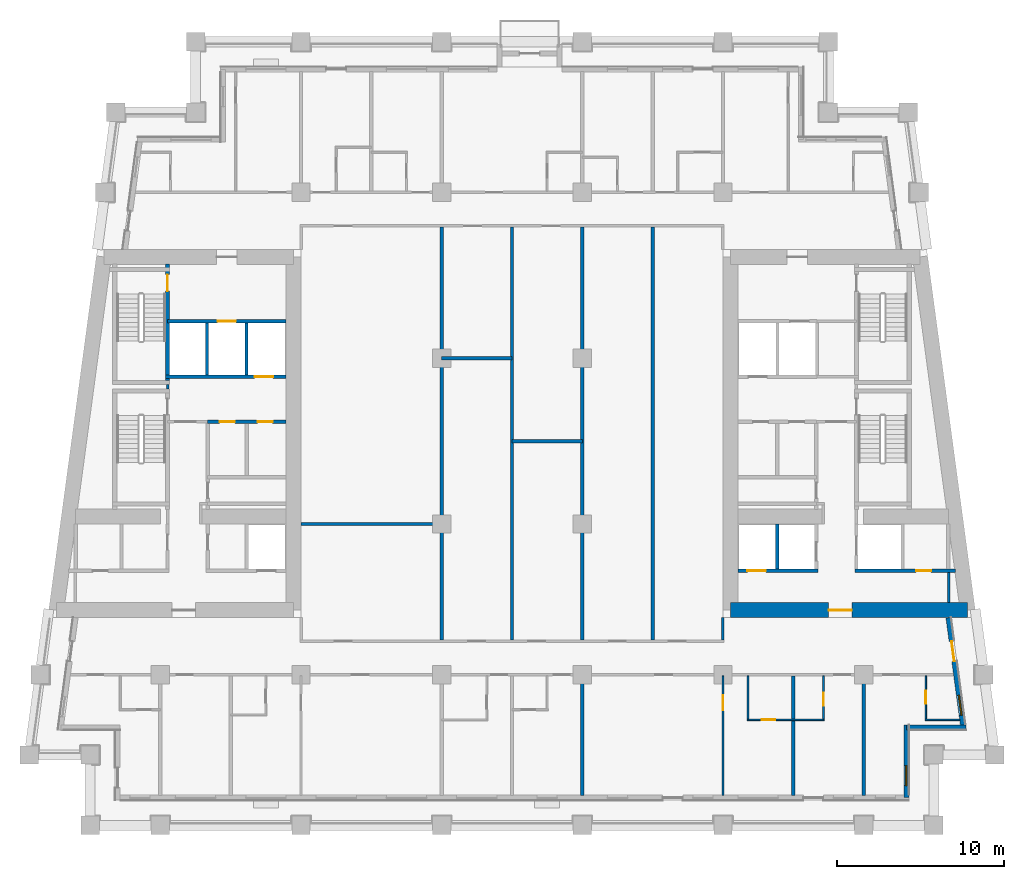
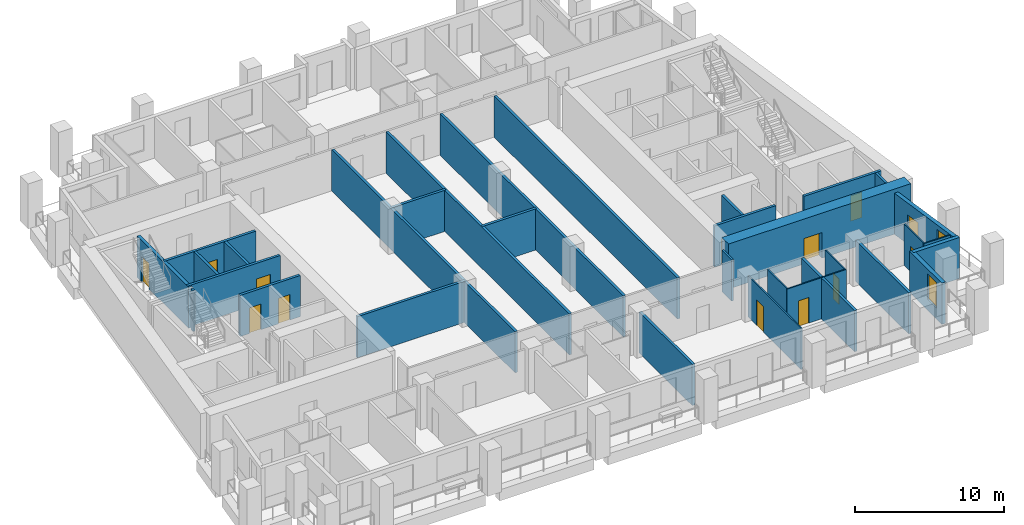
# One storey, part 4 of 13: 32 walls, 13 doors, 2 windows, 15 openings.
"""IFC4 building model written with IfcOpenShell, lengths in metres."""

from ifc_helpers import new_model, si_unit, direction, frame, frame_2d, origin, place, context, subcontext, project, spatial, rectangle, extrude, material, layer, layer_set, type_object, element, fill, save


model = new_model("IFC4")

# Units and contexts
model_context = context("Model", 3, precision=1e-05, world=origin(), true_north=direction((0.0, 1.0)))
body_context = subcontext(model_context, "Body", "Model", "MODEL_VIEW")
ifc_project = project(units=[si_unit("LENGTHUNIT", "METRE"), si_unit("AREAUNIT", "SQUARE_METRE"), si_unit("VOLUMEUNIT", "CUBIC_METRE"), si_unit("PLANEANGLEUNIT", "RADIAN"), si_unit("MASSUNIT", "GRAM", prefix="KILO")], contexts=[model_context])

# Site, building, storey
site_placement = place(None, origin())
site = spatial("IfcSite", under=ifc_project, at=site_placement, CompositionType="ELEMENT")
building_placement = place(site_placement, origin())
building = spatial("IfcBuilding", under=site, at=building_placement, Name="Candeia Pilgrim Tower and Theatre", CompositionType="ELEMENT")
storey_placement = place(building_placement, frame((0.0, 0.0, 158.89990234375)))
storey = spatial("IfcBuildingStorey", under=building, at=storey_placement, Name="L37", CompositionType="ELEMENT", Elevation=158.89990234375)

# Wall, opening, door
ifc_material_1 = material(Name="Concrete C60/75", Category="concrete")
ifc_layer_1 = layer(ifc_material_1, 0.89990234375)
ifc_layer_set_1 = layer_set([ifc_layer_1], Name="Core wall 900 C60/75")
wall_type_1 = type_object("IfcWallType", Name="Core wall 900 C60/75", PredefinedType="SHEAR", material=ifc_layer_set_1)
wall_1_placement = place(storey_placement, frame((140.6162109375, 110.85009765625, 0.0), z_axis=(0.0, 0.0, 1.0), x_axis=(-1.0, 0.0, 0.0)))
wall_1 = element("IfcWall", 1, at=wall_1_placement, inside=storey, type_object=wall_type_1, Name="Core wall E3", PredefinedType="SHEAR", context=body_context, shape_type="SweptSolid", body=[
    extrude(rectangle(XDim=14.166259765625, YDim=0.89990234375, at=frame_2d((7.0830078125, 0.0))), origin(), (0.0, 0.0, 1.0), 3.7001953125),
])
opening_1_placement = place(wall_1_placement, frame((6.911376953125, 0.0, 0.0)))
opening_1 = element("IfcOpeningElement", 2, at=opening_1_placement, cuts=wall_1, Name="Opening L37-D060", PredefinedType="OPENING", context=body_context, shape_type="SweptSolid", body=[
    extrude(rectangle(XDim=1.39990234375, YDim=2.10009765625, at=frame_2d((0.699951171875, 1.050048828125))), frame((0.0, 0.4599609375, 0.0), z_axis=(0.0, -1.0, 0.0), x_axis=(1.0, 0.0, 0.0)), (0.0, 0.0, 1.0), 0.919921875),
])
ifc_material_2 = material(Name="Steel fire door set", Category="steel")
door_type_1 = type_object("IfcDoorType", Name="D-1400-FD60", OperationType="NOTDEFINED", PredefinedType="DOOR", material=ifc_material_2)
door_1_placement = place(opening_1_placement, origin())
door_1 = element("IfcDoor", 3, at=door_1_placement, inside=storey, type_object=door_type_1, Name="Door L37-D060", OperationType="SINGLE_SWING_LEFT", OverallHeight=2.10009765625, OverallWidth=1.39990234375, PredefinedType="DOOR", context=body_context, shape_type="SweptSolid", body=[
    extrude(rectangle(XDim=1.39990234375, YDim=2.10009765625, at=frame_2d((0.699951171875, 1.050048828125))), frame((0.0, 0.02490234375, 0.0), z_axis=(0.0, -1.0, 0.0), x_axis=(1.0, 0.0, 0.0)), (0.0, 0.0, 1.0), 0.050048828125),
])
fill(opening_1, door_1)

# Wall, opening, window
ifc_material_3 = material(Name="Ceramic block masonry", Category="masonry")
ifc_layer_2 = layer(ifc_material_3, 0.300048828125)
ifc_layer_set_2 = layer_set([ifc_layer_2], Name="EW1 glazing-line wall 300")
wall_type_2 = type_object("IfcWallType", Name="EW1 glazing-line wall 300", PredefinedType="SOLIDWALL", material=ifc_layer_set_2)
wall_2_placement = place(storey_placement, frame((136.949951171875, 99.64990234375, 0.0), z_axis=(0.0, 0.0, 1.0), x_axis=(0.0, 1.0, 0.0)))
wall_2 = element("IfcWall", 4, at=wall_2_placement, inside=storey, type_object=wall_type_2, Name="External wall L37-1.0", PredefinedType="SOLIDWALL", context=body_context, shape_type="SweptSolid", body=[
    extrude(rectangle(XDim=4.35009765625, YDim=0.300048828125, at=frame_2d((2.175048828125, 0.0))), origin(), (0.0, 0.0, 1.0), 3.380126953125),
])
opening_2_placement = place(wall_2_placement, frame((0.72509765625, 0.0, 0.89990234375)))
opening_2 = element("IfcOpeningElement", 5, at=opening_2_placement, cuts=wall_2, Name="Opening W-B", PredefinedType="OPENING", context=body_context, shape_type="SweptSolid", body=[
    extrude(rectangle(XDim=1.199951171875, YDim=2.10009765625, at=frame_2d((0.60009765625, 1.050048828125))), frame((0.0, 0.16015625, 0.0), z_axis=(0.0, -1.0, 0.0), x_axis=(1.0, 0.0, 0.0)), (0.0, 0.0, 1.0), 0.320068359375),
])
ifc_material_4 = material(Name="Aluminium framed double glazing", Category="aluminium")
window_type = type_object("IfcWindowType", Name="W-B window 1200x2100", PartitioningType="SINGLE_PANEL", PredefinedType="WINDOW", material=ifc_material_4)
window_1_placement = place(opening_2_placement, origin())
window_1 = element("IfcWindow", 6, at=window_1_placement, inside=storey, type_object=window_type, Name="Window W-B L37", OverallHeight=2.10009765625, OverallWidth=1.199951171875, PartitioningType="SINGLE_PANEL", PredefinedType="WINDOW", context=body_context, shape_type="SweptSolid", body=[
    extrude(rectangle(XDim=1.199951171875, YDim=2.10009765625, at=frame_2d((0.60009765625, 1.050048828125))), frame((0.0, 0.030029296875, 0.0), z_axis=(0.0, -1.0, 0.0), x_axis=(1.0, 0.0, 0.0)), (0.0, 0.0, 1.0), 0.06005859375),
])
fill(opening_2, window_1)

# Wall
wall_3_placement = place(storey_placement, frame((136.949951171875, 103.85009765625, 0.0), z_axis=(0.0, 0.0, 1.0), x_axis=(1.0, 0.0, 0.0)))
element("IfcWall", 7, at=wall_3_placement, inside=storey, type_object=wall_type_2, Name="External wall L37-2.0", PredefinedType="SOLIDWALL", context=body_context, shape_type="SweptSolid", body=[
    extrude(rectangle(XDim=3.569091796875, YDim=0.300048828125, at=frame_2d((1.78466796875, 0.0))), origin(), (0.0, 0.0, 1.0), 3.380126953125),
])

# Wall, openings, door, window
wall_4_placement = place(storey_placement, frame((140.34765625, 103.85009765625, 0.0), z_axis=(0.0, 0.0, 1.0), x_axis=(-0.133431549479, 0.991058031401, 0.0)))
wall_4 = element("IfcWall", 8, at=wall_4_placement, inside=storey, type_object=wall_type_2, Name="External wall L37-3.0", PredefinedType="SOLIDWALL", context=body_context, shape_type="SweptSolid", body=[
    extrude(rectangle(XDim=6.60888671875, YDim=0.300048828125, at=frame_2d((3.304443359375, 0.0))), origin(), (0.0, 0.0, 1.0), 3.380126953125),
])
opening_3_placement = place(wall_4_placement, frame((0.736572265625, 0.0, 0.89990234375)))
opening_3 = element("IfcOpeningElement", 9, at=opening_3_placement, cuts=wall_4, Name="Opening W-B", PredefinedType="OPENING", context=body_context, shape_type="SweptSolid", body=[
    extrude(rectangle(XDim=1.199951171875, YDim=2.10009765625, at=frame_2d((0.60009765625, 1.050048828125))), frame((0.0, 0.16015625, 0.0), z_axis=(0.0, -1.0, 0.0), x_axis=(1.0, 0.0, 0.0)), (0.0, 0.0, 1.0), 0.320068359375),
])
opening_4_placement = place(wall_4_placement, frame((3.990966796875, 0.0, 0.0)))
opening_4 = element("IfcOpeningElement", 10, at=opening_4_placement, cuts=wall_4, Name="Opening L37-ED356", PredefinedType="OPENING", context=body_context, shape_type="SweptSolid", body=[
    extrude(rectangle(XDim=1.199951171875, YDim=2.39990234375, at=frame_2d((0.60009765625, 1.199951171875))), frame((0.0, 0.16015625, 0.0), z_axis=(0.0, -1.0, 0.0), x_axis=(1.0, 0.0, 0.0)), (0.0, 0.0, 1.0), 0.320068359375),
])
ifc_material_5 = material(Name="Aluminium framed glazed door", Category="aluminium")
door_type_2 = type_object("IfcDoorType", Name="Loggia door 1200x2400", OperationType="DOUBLE_DOOR_SINGLE_SWING", PredefinedType="DOOR", material=ifc_material_5)
door_2_placement = place(opening_4_placement, origin())
door_2 = element("IfcDoor", 11, at=door_2_placement, inside=storey, type_object=door_type_2, Name="Loggia door L37-ED356", OperationType="DOUBLE_DOOR_SINGLE_SWING", OverallHeight=2.39990234375, OverallWidth=1.199951171875, PredefinedType="DOOR", context=body_context, shape_type="SweptSolid", body=[
    extrude(rectangle(XDim=1.199951171875, YDim=2.39990234375, at=frame_2d((0.60009765625, 1.199951171875))), frame((0.0, 0.02490234375, 0.0), z_axis=(0.0, -1.0, 0.0), x_axis=(1.0, 0.0, 0.0)), (0.0, 0.0, 1.0), 0.050048828125),
])
fill(opening_4, door_2)
window_2_placement = place(opening_3_placement, origin())
window_2 = element("IfcWindow", 12, at=window_2_placement, inside=storey, type_object=window_type, Name="Window W-B L37", OverallHeight=2.10009765625, OverallWidth=1.199951171875, PartitioningType="SINGLE_PANEL", PredefinedType="WINDOW", context=body_context, shape_type="SweptSolid", body=[
    extrude(rectangle(XDim=1.199951171875, YDim=2.10009765625, at=frame_2d((0.60009765625, 1.050048828125))), frame((0.0, 0.030029296875, 0.0), z_axis=(0.0, -1.0, 0.0), x_axis=(1.0, 0.0, 0.0)), (0.0, 0.0, 1.0), 0.06005859375),
])
fill(opening_3, window_2)

# Wall, opening, door
ifc_material_6 = material(Name="Gypsum board partition on steel studs", Category="steel")
ifc_layer_3 = layer(ifc_material_6, 0.10009765625)
ifc_layer_set_3 = layer_set([ifc_layer_3], Name="PW-100 room partition")
wall_type_3 = type_object("IfcWallType", Name="PW-100 room partition", PredefinedType="PARTITIONING", material=ifc_layer_set_3)
wall_5_placement = place(storey_placement, frame((127.449951171875, 104.300048828125, 0.0), z_axis=(0.0, 0.0, 1.0), x_axis=(1.0, 0.0, 0.0)))
wall_5 = element("IfcWall", 13, at=wall_5_placement, inside=storey, type_object=wall_type_3, Name="Room partition L37-002", PredefinedType="PARTITIONING", context=body_context, shape_type="SweptSolid", body=[
    extrude(rectangle(XDim=4.60009765625, YDim=0.10009765625, at=frame_2d((2.300048828125, 0.0))), origin(), (0.0, 0.0, 1.0), 3.380126953125),
])
opening_5_placement = place(wall_5_placement, frame((0.8798828125, 0.0, 0.0)))
opening_5 = element("IfcOpeningElement", 14, at=opening_5_placement, cuts=wall_5, Name="Opening L37-D029", PredefinedType="OPENING", context=body_context, shape_type="SweptSolid", body=[
    extrude(rectangle(XDim=0.800048828125, YDim=2.10009765625, at=frame_2d((0.39990234375, 1.050048828125))), frame((0.0, 0.06005859375, 0.0), z_axis=(0.0, -1.0, 0.0), x_axis=(1.0, 0.0, 0.0)), (0.0, 0.0, 1.0), 0.1201171875),
])
ifc_material_7 = material(Name="Timber door leaf", Category="wood")
door_type_3 = type_object("IfcDoorType", Name="D-800", OperationType="NOTDEFINED", PredefinedType="DOOR", material=ifc_material_7)
door_3_placement = place(opening_5_placement, origin())
door_3 = element("IfcDoor", 15, at=door_3_placement, inside=storey, type_object=door_type_3, Name="Door L37-D029", OperationType="SINGLE_SWING_RIGHT", OverallHeight=2.10009765625, OverallWidth=0.800048828125, PredefinedType="DOOR", context=body_context, shape_type="SweptSolid", body=[
    extrude(rectangle(XDim=0.800048828125, YDim=2.10009765625, at=frame_2d((0.39990234375, 1.050048828125))), frame((0.0, 0.02490234375, 0.0), z_axis=(0.0, -1.0, 0.0), x_axis=(1.0, 0.0, 0.0)), (0.0, 0.0, 1.0), 0.050048828125),
])
fill(opening_5, door_3)

# Wall
wall_6_placement = place(storey_placement, frame((138.070068359375, 104.300048828125, 0.0), z_axis=(0.0, 0.0, 1.0), x_axis=(1.0, 0.0, 0.0)))
element("IfcWall", 16, at=wall_6_placement, inside=storey, type_object=wall_type_3, Name="Room partition L37-003", PredefinedType="PARTITIONING", context=body_context, shape_type="SweptSolid", body=[
    extrude(rectangle(XDim=2.07568359375, YDim=0.10009765625, at=frame_2d((1.037841796875, 0.0))), origin(), (0.0, 0.0, 1.0), 3.380126953125),
])

# Wall, opening, door
wall_7_placement = place(storey_placement, frame((126.0, 99.7900390625, 0.0), z_axis=(0.0, 0.0, 1.0), x_axis=(0.0, 1.0, 0.0)))
wall_7 = element("IfcWall", 17, at=wall_7_placement, inside=storey, type_object=wall_type_3, Name="Room partition L37-094", PredefinedType="PARTITIONING", context=body_context, shape_type="SweptSolid", body=[
    extrude(rectangle(XDim=7.135009765625, YDim=0.10009765625, at=frame_2d((3.5673828125, 0.0))), origin(), (0.0, 0.0, 1.0), 3.380126953125),
])
opening_6_placement = place(wall_7_placement, frame((5.074951171875, 0.0, 0.0)))
opening_6 = element("IfcOpeningElement", 18, at=opening_6_placement, cuts=wall_7, Name="Opening L37-D028", PredefinedType="OPENING", context=body_context, shape_type="SweptSolid", body=[
    extrude(rectangle(XDim=0.89990234375, YDim=2.10009765625, at=frame_2d((0.449951171875, 1.050048828125))), frame((0.0, 0.06005859375, 0.0), z_axis=(0.0, -1.0, 0.0), x_axis=(1.0, 0.0, 0.0)), (0.0, 0.0, 1.0), 0.1201171875),
])
door_type_4 = type_object("IfcDoorType", Name="D-900", OperationType="NOTDEFINED", PredefinedType="DOOR", material=ifc_material_7)
door_4_placement = place(opening_6_placement, origin())
door_4 = element("IfcDoor", 19, at=door_4_placement, inside=storey, type_object=door_type_4, Name="Door L37-D028", OperationType="SINGLE_SWING_LEFT", OverallHeight=2.10009765625, OverallWidth=0.89990234375, PredefinedType="DOOR", context=body_context, shape_type="SweptSolid", body=[
    extrude(rectangle(XDim=0.89990234375, YDim=2.10009765625, at=frame_2d((0.449951171875, 1.050048828125))), frame((0.0, 0.02490234375, 0.0), z_axis=(0.0, -1.0, 0.0), x_axis=(1.0, 0.0, 0.0)), (0.0, 0.0, 1.0), 0.050048828125),
])
fill(opening_6, door_4)

# Wall
wall_8_placement = place(storey_placement, frame((127.5, 104.35009765625, 0.0), z_axis=(0.0, 0.0, 1.0), x_axis=(0.0, 1.0, 0.0)))
element("IfcWall", 20, at=wall_8_placement, inside=storey, type_object=wall_type_3, Name="Room partition L37-098", PredefinedType="PARTITIONING", context=body_context, shape_type="SweptSolid", body=[
    extrude(rectangle(XDim=2.574951171875, YDim=0.10009765625, at=frame_2d((1.28759765625, 0.0))), origin(), (0.0, 0.0, 1.0), 3.380126953125),
])

# Wall, opening, door
wall_9_placement = place(storey_placement, frame((132.0, 104.35009765625, 0.0), z_axis=(0.0, 0.0, 1.0), x_axis=(0.0, 1.0, 0.0)))
wall_9 = element("IfcWall", 21, at=wall_9_placement, inside=storey, type_object=wall_type_3, Name="Room partition L37-107", PredefinedType="PARTITIONING", context=body_context, shape_type="SweptSolid", body=[
    extrude(rectangle(XDim=2.574951171875, YDim=0.10009765625, at=frame_2d((1.28759765625, 0.0))), origin(), (0.0, 0.0, 1.0), 3.380126953125),
])
opening_7_placement = place(wall_9_placement, frame((0.780029296875, 0.0, 0.0)))
opening_7 = element("IfcOpeningElement", 22, at=opening_7_placement, cuts=wall_9, Name="Opening L37-D031", PredefinedType="OPENING", context=body_context, shape_type="SweptSolid", body=[
    extrude(rectangle(XDim=0.800048828125, YDim=2.10009765625, at=frame_2d((0.39990234375, 1.050048828125))), frame((0.0, 0.06005859375, 0.0), z_axis=(0.0, -1.0, 0.0), x_axis=(1.0, 0.0, 0.0)), (0.0, 0.0, 1.0), 0.1201171875),
])
door_5_placement = place(opening_7_placement, origin())
door_5 = element("IfcDoor", 23, at=door_5_placement, inside=storey, type_object=door_type_3, Name="Door L37-D031", OperationType="SINGLE_SWING_RIGHT", OverallHeight=2.10009765625, OverallWidth=0.800048828125, PredefinedType="DOOR", context=body_context, shape_type="SweptSolid", body=[
    extrude(rectangle(XDim=0.800048828125, YDim=2.10009765625, at=frame_2d((0.39990234375, 1.050048828125))), frame((0.0, 0.02490234375, 0.0), z_axis=(0.0, -1.0, 0.0), x_axis=(1.0, 0.0, 0.0)), (0.0, 0.0, 1.0), 0.050048828125),
])
fill(opening_7, door_5)

wall_10_placement = place(storey_placement, frame((138.1201171875, 104.35009765625, 0.0), z_axis=(0.0, 0.0, 1.0), x_axis=(0.0, 1.0, 0.0)))
wall_10 = element("IfcWall", 24, at=wall_10_placement, inside=storey, type_object=wall_type_3, Name="Room partition L37-119", PredefinedType="PARTITIONING", context=body_context, shape_type="SweptSolid", body=[
    extrude(rectangle(XDim=2.574951171875, YDim=0.10009765625, at=frame_2d((1.28759765625, 0.0))), origin(), (0.0, 0.0, 1.0), 3.380126953125),
])
opening_8_placement = place(wall_10_placement, frame((0.89990234375, 0.0, 0.0)))
opening_8 = element("IfcOpeningElement", 25, at=opening_8_placement, cuts=wall_10, Name="Opening L37-D033", PredefinedType="OPENING", context=body_context, shape_type="SweptSolid", body=[
    extrude(rectangle(XDim=0.800048828125, YDim=2.10009765625, at=frame_2d((0.39990234375, 1.050048828125))), frame((0.0, 0.06005859375, 0.0), z_axis=(0.0, -1.0, 0.0), x_axis=(1.0, 0.0, 0.0)), (0.0, 0.0, 1.0), 0.1201171875),
])
door_6_placement = place(opening_8_placement, origin())
door_6 = element("IfcDoor", 26, at=door_6_placement, inside=storey, type_object=door_type_3, Name="Door L37-D033", OperationType="SINGLE_SWING_RIGHT", OverallHeight=2.10009765625, OverallWidth=0.800048828125, PredefinedType="DOOR", context=body_context, shape_type="SweptSolid", body=[
    extrude(rectangle(XDim=0.800048828125, YDim=2.10009765625, at=frame_2d((0.39990234375, 1.050048828125))), frame((0.0, 0.02490234375, 0.0), z_axis=(0.0, -1.0, 0.0), x_axis=(1.0, 0.0, 0.0)), (0.0, 0.0, 1.0), 0.050048828125),
])
fill(opening_8, door_6)

# Walls
ifc_layer_4 = layer(ifc_material_6, 0.14990234375)
ifc_layer_set_4 = layer_set([ifc_layer_4], Name="PW-150 lobby wall")
wall_type_4 = type_object("IfcWallType", Name="PW-150 lobby wall", PredefinedType="PARTITIONING", material=ifc_layer_set_4)
wall_11_placement = place(storey_placement, frame((92.826904296875, 124.074951171875, 0.0), z_axis=(0.0, 0.0, 1.0), x_axis=(0.0, 1.0, 0.0)))
element("IfcWall", 27, at=wall_11_placement, inside=storey, type_object=wall_type_4, Name="Lobby wall L37-058", PredefinedType="PARTITIONING", context=body_context, shape_type="SweptSolid", body=[
    extrude(rectangle(XDim=0.25, YDim=0.14990234375, at=frame_2d((0.125, 0.0))), origin(), (0.0, 0.0, 1.0), 3.380126953125),
])
wall_12_placement = place(storey_placement, frame((139.471923828125, 111.300048828125, 0.0), z_axis=(0.0, 0.0, 1.0), x_axis=(0.0, 1.0, 0.0)))
element("IfcWall", 28, at=wall_12_placement, inside=storey, type_object=wall_type_4, Name="Lobby wall L37-121", PredefinedType="PARTITIONING", context=body_context, shape_type="SweptSolid", body=[
    extrude(rectangle(XDim=1.800048828125, YDim=0.14990234375, at=frame_2d((0.89990234375, 0.0))), origin(), (0.0, 0.0, 1.0), 3.380126953125),
])
ifc_layer_5 = layer(ifc_material_6, 0.14990234375)
ifc_layer_set_5 = layer_set([ifc_layer_5], Name="PW-150 unit wall")
wall_type_5 = type_object("IfcWallType", Name="PW-150 unit wall", PredefinedType="PARTITIONING", material=ifc_layer_set_5)
wall_13_placement = place(storey_placement, frame((126.0, 109.074951171875, 0.0), z_axis=(0.0, 0.0, 1.0), x_axis=(0.0, 1.0, 0.0)))
element("IfcWall", 29, at=wall_13_placement, inside=storey, type_object=wall_type_5, Name="Unit wall L37-096", PredefinedType="PARTITIONING", context=body_context, shape_type="SweptSolid", body=[
    extrude(rectangle(XDim=1.324951171875, YDim=0.14990234375, at=frame_2d((0.66259765625, 0.0))), origin(), (0.0, 0.0, 1.0), 3.380126953125),
])
ifc_layer_6 = layer(ifc_material_6, 0.199951171875)
ifc_layer_set_6 = layer_set([ifc_layer_6], Name="PW-200 party wall")
wall_type_6 = type_object("IfcWallType", Name="PW-200 party wall", PredefinedType="PARTITIONING", material=ifc_layer_set_6)
wall_14_placement = place(storey_placement, frame((100.800048828125, 116.0, 0.0), z_axis=(0.0, 0.0, 1.0), x_axis=(1.0, 0.0, 0.0)))
element("IfcWall", 30, at=wall_14_placement, inside=storey, type_object=wall_type_6, Name="Party wall L37-013", PredefinedType="PARTITIONING", context=body_context, shape_type="SweptSolid", body=[
    extrude(rectangle(XDim=8.39990234375, YDim=0.199951171875, at=frame_2d((4.199951171875, 0.0))), origin(), (0.0, 0.0, 1.0), 3.380126953125),
])
wall_15_placement = place(storey_placement, frame((113.39990234375, 120.949951171875, 0.0), z_axis=(0.0, 0.0, 1.0), x_axis=(1.0, 0.0, 0.0)))
element("IfcWall", 31, at=wall_15_placement, inside=storey, type_object=wall_type_6, Name="Party wall L37-022", PredefinedType="PARTITIONING", context=body_context, shape_type="SweptSolid", body=[
    extrude(rectangle(XDim=4.2001953125, YDim=0.199951171875, at=frame_2d((2.10009765625, 0.0))), origin(), (0.0, 0.0, 1.0), 3.380126953125),
])
wall_16_placement = place(storey_placement, frame((109.199951171875, 125.89990234375, 0.0), z_axis=(0.0, 0.0, 1.0), x_axis=(1.0, 0.0, 0.0)))
element("IfcWall", 32, at=wall_16_placement, inside=storey, type_object=wall_type_6, Name="Party wall L37-034", PredefinedType="PARTITIONING", context=body_context, shape_type="SweptSolid", body=[
    extrude(rectangle(XDim=4.199951171875, YDim=0.199951171875, at=frame_2d((2.10009765625, 0.0))), origin(), (0.0, 0.0, 1.0), 3.380126953125),
])
for number, where, z_axis, x_axis, name in (
    (33, (109.199951171875, 109.074951171875, 0.0), (0.0, 0.0, 1.0), (0.0, 1.0, 0.0), "Party wall L37-080"),
    (34, (113.39990234375, 109.074951171875, 0.0), (0.0, 0.0, 1.0), (0.0, 1.0, 0.0), "Party wall L37-084"),
):
    element("IfcWall", number, at=place(storey_placement, frame(where, z_axis=z_axis, x_axis=x_axis)), inside=storey, type_object=wall_type_6, Name=name, PredefinedType="PARTITIONING", context=body_context, shape_type="SweptSolid", body=[
        extrude(rectangle(XDim=24.650146484375, YDim=0.199951171875, at=frame_2d((12.3251953125, 0.0))), origin(), (0.0, 0.0, 1.0), 3.380126953125),
    ])
wall_17_placement = place(storey_placement, frame((117.60009765625, 99.7900390625, 0.0), z_axis=(0.0, 0.0, 1.0), x_axis=(0.0, 1.0, 0.0)))
element("IfcWall", 35, at=wall_17_placement, inside=storey, type_object=wall_type_6, Name="Party wall L37-087", PredefinedType="PARTITIONING", context=body_context, shape_type="SweptSolid", body=[
    extrude(rectangle(XDim=7.135009765625, YDim=0.199951171875, at=frame_2d((3.5673828125, 0.0))), origin(), (0.0, 0.0, 1.0), 3.380126953125),
])
for number, where, z_axis, x_axis, name in (
    (36, (117.60009765625, 109.074951171875, 0.0), (0.0, 0.0, 1.0), (0.0, 1.0, 0.0), "Party wall L37-088"),
    (37, (121.800048828125, 109.074951171875, 0.0), (0.0, 0.0, 1.0), (0.0, 1.0, 0.0), "Party wall L37-091"),
):
    element("IfcWall", number, at=place(storey_placement, frame(where, z_axis=z_axis, x_axis=x_axis)), inside=storey, type_object=wall_type_6, Name=name, PredefinedType="PARTITIONING", context=body_context, shape_type="SweptSolid", body=[
        extrude(rectangle(XDim=24.650146484375, YDim=0.199951171875, at=frame_2d((12.3251953125, 0.0))), origin(), (0.0, 0.0, 1.0), 3.380126953125),
    ])
for number, where, z_axis, x_axis, name in (
    (38, (130.199951171875, 99.7900390625, 0.0), (0.0, 0.0, 1.0), (0.0, 1.0, 0.0), "Party wall L37-103"),
    (39, (134.39990234375, 99.7900390625, 0.0), (0.0, 0.0, 1.0), (0.0, 1.0, 0.0), "Party wall L37-115"),
):
    element("IfcWall", number, at=place(storey_placement, frame(where, z_axis=z_axis, x_axis=x_axis)), inside=storey, type_object=wall_type_6, Name=name, PredefinedType="PARTITIONING", context=body_context, shape_type="SweptSolid", body=[
        extrude(rectangle(XDim=7.135009765625, YDim=0.199951171875, at=frame_2d((3.5673828125, 0.0))), origin(), (0.0, 0.0, 1.0), 3.380126953125),
    ])

# Wall, opening, door
ifc_material_8 = material(Name="Concrete C40/50", Category="concrete")
ifc_layer_7 = layer(ifc_material_8, 0.199951171875)
ifc_layer_set_7 = layer_set([ifc_layer_7], Name="SW-200 shaft wall")
wall_type_7 = type_object("IfcWallType", Name="SW-200 shaft wall", PredefinedType="PARTITIONING", material=ifc_layer_set_7)
wall_18_placement = place(storey_placement, frame((126.89990234375, 113.199951171875, 0.0), z_axis=(0.0, 0.0, 1.0), x_axis=(1.0, 0.0, 0.0)))
wall_18 = element("IfcWall", 40, at=wall_18_placement, inside=storey, type_object=wall_type_7, Name="Shaft wall L37-011", PredefinedType="PARTITIONING", context=body_context, shape_type="SweptSolid", body=[
    extrude(rectangle(XDim=4.773193359375, YDim=0.199951171875, at=frame_2d((2.38671875, 0.0))), origin(), (0.0, 0.0, 1.0), 3.380126953125),
])
opening_9_placement = place(wall_18_placement, frame((0.56494140625, 0.0, 0.0)))
opening_9 = element("IfcOpeningElement", 41, at=opening_9_placement, cuts=wall_18, Name="Opening L37-LD08", PredefinedType="OPENING", context=body_context, shape_type="SweptSolid", body=[
    extrude(rectangle(XDim=1.10009765625, YDim=2.10009765625, at=frame_2d((0.550048828125, 1.050048828125))), frame((0.0, 0.10986328125, 0.0), z_axis=(0.0, -1.0, 0.0), x_axis=(1.0, 0.0, 0.0)), (0.0, 0.0, 1.0), 0.219970703125),
])
ifc_material_9 = material(Name="Glazed aluminium landing door", Category="aluminium")
door_type_5 = type_object("IfcDoorType", Name="LD-1100-EI120", OperationType="SLIDING_TO_LEFT", PredefinedType="DOOR", material=ifc_material_9)
door_7_placement = place(opening_9_placement, origin())
door_7 = element("IfcDoor", 42, at=door_7_placement, inside=storey, type_object=door_type_5, Name="Landing door 08 L37", OperationType="SLIDING_TO_LEFT", OverallHeight=2.10009765625, OverallWidth=1.10009765625, PredefinedType="DOOR", context=body_context, shape_type="SweptSolid", body=[
    extrude(rectangle(XDim=1.10009765625, YDim=2.10009765625, at=frame_2d((0.550048828125, 1.050048828125))), frame((0.0, 0.02490234375, 0.0), z_axis=(0.0, -1.0, 0.0), x_axis=(1.0, 0.0, 0.0)), (0.0, 0.0, 1.0), 0.050048828125),
])
fill(opening_9, door_7)

wall_19_placement = place(storey_placement, frame((133.873046875, 113.199951171875, 0.0), z_axis=(0.0, 0.0, 1.0), x_axis=(1.0, 0.0, 0.0)))
wall_19 = element("IfcWall", 43, at=wall_19_placement, inside=storey, type_object=wall_type_7, Name="Shaft wall L37-012", PredefinedType="PARTITIONING", context=body_context, shape_type="SweptSolid", body=[
    extrude(rectangle(XDim=6.002685546875, YDim=0.199951171875, at=frame_2d((3.00146484375, 0.0))), origin(), (0.0, 0.0, 1.0), 3.380126953125),
])
opening_10_placement = place(wall_19_placement, frame((3.658935546875, 0.0, 0.0)))
opening_10 = element("IfcOpeningElement", 44, at=opening_10_placement, cuts=wall_19, Name="Opening L37-D016", PredefinedType="OPENING", context=body_context, shape_type="SweptSolid", body=[
    extrude(rectangle(XDim=0.89990234375, YDim=2.10009765625, at=frame_2d((0.449951171875, 1.050048828125))), frame((0.0, 0.10986328125, 0.0), z_axis=(0.0, -1.0, 0.0), x_axis=(1.0, 0.0, 0.0)), (0.0, 0.0, 1.0), 0.219970703125),
])
door_type_6 = type_object("IfcDoorType", Name="D-900-FD60", OperationType="NOTDEFINED", PredefinedType="DOOR", material=ifc_material_2)
door_8_placement = place(opening_10_placement, origin())
door_8 = element("IfcDoor", 45, at=door_8_placement, inside=storey, type_object=door_type_6, Name="Door L37-D016", OperationType="SINGLE_SWING_LEFT", OverallHeight=2.10009765625, OverallWidth=0.89990234375, PredefinedType="DOOR", context=body_context, shape_type="SweptSolid", body=[
    extrude(rectangle(XDim=0.89990234375, YDim=2.10009765625, at=frame_2d((0.449951171875, 1.050048828125))), frame((0.0, 0.02490234375, 0.0), z_axis=(0.0, -1.0, 0.0), x_axis=(1.0, 0.0, 0.0)), (0.0, 0.0, 1.0), 0.050048828125),
])
fill(opening_10, door_8)

# Wall, openings, doors
wall_20_placement = place(storey_placement, frame((95.22705078125, 122.10009765625, 0.0), z_axis=(0.0, 0.0, 1.0), x_axis=(1.0, 0.0, 0.0)))
wall_20 = element("IfcWall", 46, at=wall_20_placement, inside=storey, type_object=wall_type_7, Name="Shaft wall L37-023", PredefinedType="PARTITIONING", context=body_context, shape_type="SweptSolid", body=[
    extrude(rectangle(XDim=4.6728515625, YDim=0.199951171875, at=frame_2d((2.33642578125, 0.0))), origin(), (0.0, 0.0, 1.0), 3.380126953125),
])
opening_11_placement = place(wall_20_placement, frame((0.718017578125, 0.0, 0.0)))
opening_11 = element("IfcOpeningElement", 47, at=opening_11_placement, cuts=wall_20, Name="Opening L37-D002", PredefinedType="OPENING", context=body_context, shape_type="SweptSolid", body=[
    extrude(rectangle(XDim=0.89990234375, YDim=2.10009765625, at=frame_2d((0.449951171875, 1.050048828125))), frame((0.0, 0.10986328125, 0.0), z_axis=(0.0, -1.0, 0.0), x_axis=(1.0, 0.0, 0.0)), (0.0, 0.0, 1.0), 0.219970703125),
])
opening_12_placement = place(wall_20_placement, frame((2.98095703125, 0.0, 0.0)))
opening_12 = element("IfcOpeningElement", 48, at=opening_12_placement, cuts=wall_20, Name="Opening L37-D003", PredefinedType="OPENING", context=body_context, shape_type="SweptSolid", body=[
    extrude(rectangle(XDim=0.89990234375, YDim=2.10009765625, at=frame_2d((0.449951171875, 1.050048828125))), frame((0.0, 0.10986328125, 0.0), z_axis=(0.0, -1.0, 0.0), x_axis=(1.0, 0.0, 0.0)), (0.0, 0.0, 1.0), 0.219970703125),
])
door_9_placement = place(opening_11_placement, origin())
door_9 = element("IfcDoor", 49, at=door_9_placement, inside=storey, type_object=door_type_6, Name="Door L37-D002", OperationType="SINGLE_SWING_LEFT", OverallHeight=2.10009765625, OverallWidth=0.89990234375, PredefinedType="DOOR", context=body_context, shape_type="SweptSolid", body=[
    extrude(rectangle(XDim=0.89990234375, YDim=2.10009765625, at=frame_2d((0.449951171875, 1.050048828125))), frame((0.0, 0.02490234375, 0.0), z_axis=(0.0, -1.0, 0.0), x_axis=(1.0, 0.0, 0.0)), (0.0, 0.0, 1.0), 0.050048828125),
])
fill(opening_11, door_9)
door_10_placement = place(opening_12_placement, origin())
door_10 = element("IfcDoor", 50, at=door_10_placement, inside=storey, type_object=door_type_6, Name="Door L37-D003", OperationType="SINGLE_SWING_RIGHT", OverallHeight=2.10009765625, OverallWidth=0.89990234375, PredefinedType="DOOR", context=body_context, shape_type="SweptSolid", body=[
    extrude(rectangle(XDim=0.89990234375, YDim=2.10009765625, at=frame_2d((0.449951171875, 1.050048828125))), frame((0.0, 0.02490234375, 0.0), z_axis=(0.0, -1.0, 0.0), x_axis=(1.0, 0.0, 0.0)), (0.0, 0.0, 1.0), 0.050048828125),
])
fill(opening_12, door_10)

# Wall, opening, door
wall_21_placement = place(storey_placement, frame((92.701904296875, 124.800048828125, 0.0), z_axis=(0.0, 0.0, 1.0), x_axis=(1.0, 0.0, 0.0)))
wall_21 = element("IfcWall", 51, at=wall_21_placement, inside=storey, type_object=wall_type_7, Name="Shaft wall L37-031", PredefinedType="PARTITIONING", context=body_context, shape_type="SweptSolid", body=[
    extrude(rectangle(XDim=7.197998046875, YDim=0.199951171875, at=frame_2d((3.59912109375, 0.0))), origin(), (0.0, 0.0, 1.0), 3.380126953125),
])
opening_13_placement = place(wall_21_placement, frame((5.330078125, 0.0, 0.0)))
opening_13 = element("IfcOpeningElement", 52, at=opening_13_placement, cuts=wall_21, Name="Opening L37-LD02", PredefinedType="OPENING", context=body_context, shape_type="SweptSolid", body=[
    extrude(rectangle(XDim=1.10009765625, YDim=2.10009765625, at=frame_2d((0.550048828125, 1.050048828125))), frame((0.0, 0.10986328125, 0.0), z_axis=(0.0, -1.0, 0.0), x_axis=(1.0, 0.0, 0.0)), (0.0, 0.0, 1.0), 0.219970703125),
])
door_11_placement = place(opening_13_placement, origin())
door_11 = element("IfcDoor", 53, at=door_11_placement, inside=storey, type_object=door_type_5, Name="Landing door 02 L37", OperationType="SLIDING_TO_LEFT", OverallHeight=2.10009765625, OverallWidth=1.10009765625, PredefinedType="DOOR", context=body_context, shape_type="SweptSolid", body=[
    extrude(rectangle(XDim=1.10009765625, YDim=2.10009765625, at=frame_2d((0.550048828125, 1.050048828125))), frame((0.0, 0.02490234375, 0.0), z_axis=(0.0, -1.0, 0.0), x_axis=(1.0, 0.0, 0.0)), (0.0, 0.0, 1.0), 0.050048828125),
])
fill(opening_13, door_11)

wall_22_placement = place(storey_placement, frame((92.826904296875, 128.10009765625, 0.0), z_axis=(0.0, 0.0, 1.0), x_axis=(1.0, 0.0, 0.0)))
wall_22 = element("IfcWall", 54, at=wall_22_placement, inside=storey, type_object=wall_type_7, Name="Shaft wall L37-035", PredefinedType="PARTITIONING", context=body_context, shape_type="SweptSolid", body=[
    extrude(rectangle(XDim=7.072998046875, YDim=0.199951171875, at=frame_2d((3.53662109375, 0.0))), origin(), (0.0, 0.0, 1.0), 3.380126953125),
])
opening_14_placement = place(wall_22_placement, frame((2.987060546875, 0.0, 0.0)))
opening_14 = element("IfcOpeningElement", 55, at=opening_14_placement, cuts=wall_22, Name="Opening L37-LD01", PredefinedType="OPENING", context=body_context, shape_type="SweptSolid", body=[
    extrude(rectangle(XDim=1.10009765625, YDim=2.10009765625, at=frame_2d((0.550048828125, 1.050048828125))), frame((0.0, 0.10986328125, 0.0), z_axis=(0.0, -1.0, 0.0), x_axis=(1.0, 0.0, 0.0)), (0.0, 0.0, 1.0), 0.219970703125),
])
door_12_placement = place(opening_14_placement, origin())
door_12 = element("IfcDoor", 56, at=door_12_placement, inside=storey, type_object=door_type_5, Name="Landing door 01 L37", OperationType="SLIDING_TO_LEFT", OverallHeight=2.10009765625, OverallWidth=1.10009765625, PredefinedType="DOOR", context=body_context, shape_type="SweptSolid", body=[
    extrude(rectangle(XDim=1.10009765625, YDim=2.10009765625, at=frame_2d((0.550048828125, 1.050048828125))), frame((0.0, 0.02490234375, 0.0), z_axis=(0.0, -1.0, 0.0), x_axis=(1.0, 0.0, 0.0)), (0.0, 0.0, 1.0), 0.050048828125),
])
fill(opening_14, door_12)

# Walls
for number, where, z_axis, x_axis, name in (
    (57, (95.184814453125, 124.89990234375, 0.0), (0.0, 0.0, 1.0), (0.0, 1.0, 0.0), "Shaft wall L37-063"),
    (58, (97.542236328125, 124.89990234375, 0.0), (0.0, 0.0, 1.0), (0.0, 1.0, 0.0), "Shaft wall L37-068"),
):
    element("IfcWall", number, at=place(storey_placement, frame(where, z_axis=z_axis, x_axis=x_axis)), inside=storey, type_object=wall_type_7, Name=name, PredefinedType="PARTITIONING", context=body_context, shape_type="SweptSolid", body=[
        extrude(rectangle(XDim=3.10009765625, YDim=0.199951171875, at=frame_2d((1.550048828125, 0.0))), origin(), (0.0, 0.0, 1.0), 3.380126953125),
    ])
wall_23_placement = place(storey_placement, frame((129.236572265625, 113.300048828125, 0.0), z_axis=(0.0, 0.0, 1.0), x_axis=(0.0, 1.0, 0.0)))
element("IfcWall", 59, at=wall_23_placement, inside=storey, type_object=wall_type_7, Name="Shaft wall L37-099", PredefinedType="PARTITIONING", context=body_context, shape_type="SweptSolid", body=[
    extrude(rectangle(XDim=2.699951171875, YDim=0.199951171875, at=frame_2d((1.35009765625, 0.0))), origin(), (0.0, 0.0, 1.0), 3.380126953125),
])

# Wall, opening, door
ifc_layer_8 = layer(ifc_material_8, 0.25)
ifc_layer_set_8 = layer_set([ifc_layer_8], Name="SW-250 stair wall")
wall_type_8 = type_object("IfcWallType", Name="SW-250 stair wall", PredefinedType="PARTITIONING", material=ifc_layer_set_8)
wall_24_placement = place(storey_placement, frame((92.826904296875, 124.574951171875, 0.0), z_axis=(0.0, 0.0, 1.0), x_axis=(0.0, 1.0, 0.0)))
wall_24 = element("IfcWall", 60, at=wall_24_placement, inside=storey, type_object=wall_type_8, Name="Stair wall L37-060", PredefinedType="PARTITIONING", context=body_context, shape_type="SweptSolid", body=[
    extrude(rectangle(XDim=6.955078125, YDim=0.25, at=frame_2d((3.4775390625, 0.0))), origin(), (0.0, 0.0, 1.0), 3.380126953125),
])
opening_15_placement = place(wall_24_placement, frame((5.324951171875, 0.0, 0.0)))
opening_15 = element("IfcOpeningElement", 61, at=opening_15_placement, cuts=wall_24, Name="Opening L37-D005", PredefinedType="OPENING", context=body_context, shape_type="SweptSolid", body=[
    extrude(rectangle(XDim=1.0, YDim=2.10009765625, at=frame_2d((0.5, 1.050048828125))), frame((0.0, 0.135009765625, 0.0), z_axis=(0.0, -1.0, 0.0), x_axis=(1.0, 0.0, 0.0)), (0.0, 0.0, 1.0), 0.27001953125),
])
door_type_7 = type_object("IfcDoorType", Name="D-1000-FD60", OperationType="NOTDEFINED", PredefinedType="DOOR", material=ifc_material_2)
door_13_placement = place(opening_15_placement, origin())
door_13 = element("IfcDoor", 62, at=door_13_placement, inside=storey, type_object=door_type_7, Name="Door L37-D005", OperationType="SINGLE_SWING_RIGHT", OverallHeight=2.10009765625, OverallWidth=1.0, PredefinedType="DOOR", context=body_context, shape_type="SweptSolid", body=[
    extrude(rectangle(XDim=1.0, YDim=2.10009765625, at=frame_2d((0.5, 1.050048828125))), frame((0.0, 0.02490234375, 0.0), z_axis=(0.0, -1.0, 0.0), x_axis=(1.0, 0.0, 0.0)), (0.0, 0.0, 1.0), 0.050048828125),
])
fill(opening_15, door_13)

save(model, "model.ifc")
